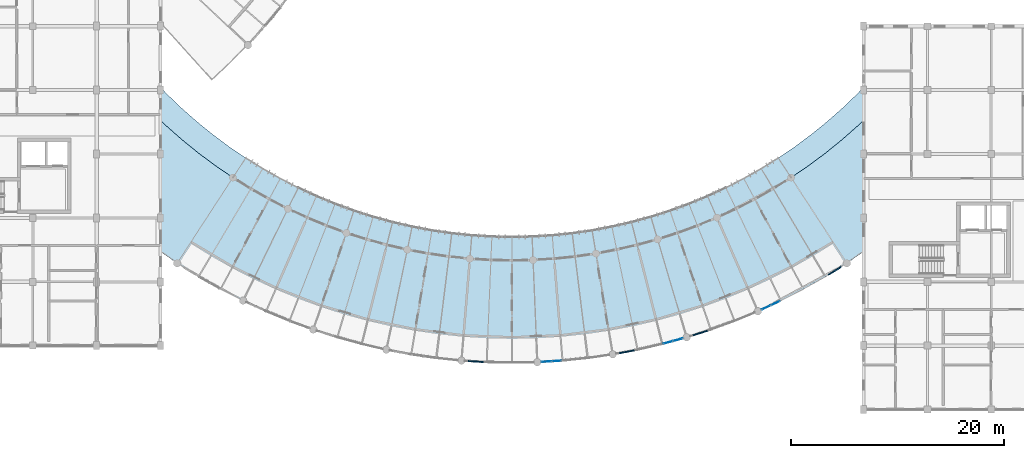
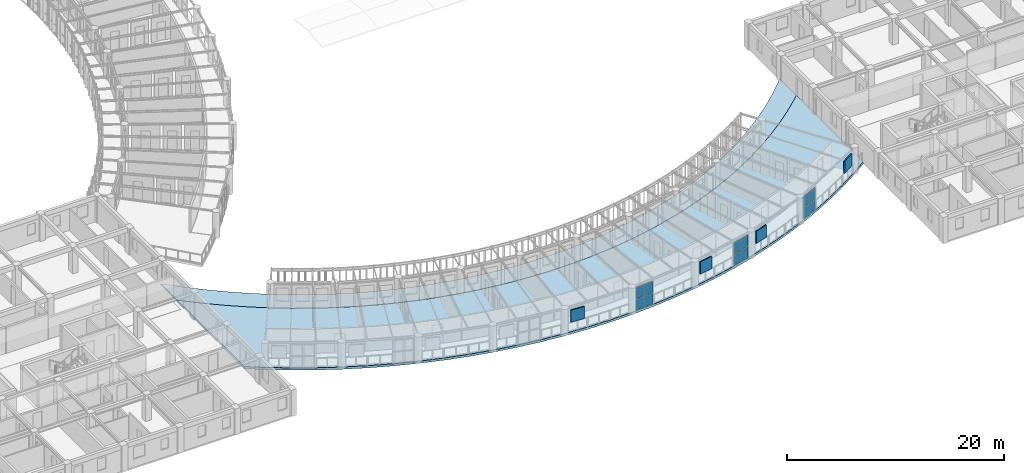
# One storey, part 45 of 100: 16 plates, 2 slabs, 3 elements without a shape of their own.
"""IFC4 building model written with IfcOpenShell, lengths in metres."""

from ifc_helpers import new_model, si_unit, direction, frame, origin, origin_2d, place, context, subcontext, project, spatial, polyline, rectangle, outline, extrude, material, layer, layer_set, type_object, element, aggregate, save


model = new_model("IFC4")

# Units and contexts
model_context = context("Model", 3, precision=1e-05, world=origin(), true_north=direction((0.0, 1.0)))
body_context = subcontext(model_context, "Body", "Model", "MODEL_VIEW")
ifc_project = project(units=[si_unit("LENGTHUNIT", "METRE"), si_unit("AREAUNIT", "SQUARE_METRE"), si_unit("VOLUMEUNIT", "CUBIC_METRE"), si_unit("PLANEANGLEUNIT", "RADIAN"), si_unit("MASSUNIT", "GRAM", prefix="KILO"), si_unit("POWERUNIT", "WATT"), si_unit("THERMODYNAMICTEMPERATUREUNIT", "KELVIN")], contexts=[model_context])

# Site, building, storey
site_placement = place(None, origin())
site = spatial("IfcSite", under=ifc_project, at=site_placement, CompositionType="ELEMENT")
building_placement = place(site_placement, origin())
building = spatial("IfcBuilding", under=site, at=building_placement, Name="Ruvembo Vaulted Housing Court", CompositionType="ELEMENT")
storey_placement = place(building_placement, frame((0.0, 0.0, 10.89990234375)))
storey = spatial("IfcBuildingStorey", under=building, at=storey_placement, Name="L03", CompositionType="ELEMENT", Elevation=10.89990234375)

# Curtain wall, plates
ifc_material_1 = material(Name="Anodised Aluminium and Solar-Control Glass", Category="aluminium")
ifc_layer_1 = layer(ifc_material_1, 0.139892578125, Name="Anodised Aluminium and Solar-Control Glass")
ifc_layer_set_1 = layer_set([ifc_layer_1], Name="Anodised Aluminium and Solar-Control Glass")
curtain_wall_type_1 = type_object("IfcCurtainWallType", Name="CW-SCOOP-PAN", PredefinedType="NOTDEFINED", material=ifc_layer_set_1)
curtain_wall_1_placement = place(storey_placement, origin())
curtain_wall_1 = element("IfcCurtainWall", 1, at=curtain_wall_1_placement, inside=storey, type_object=curtain_wall_type_1, Name="L03 Curtain Wall CW-L03-0045", PredefinedType="NOTDEFINED")
ifc_material_2 = material(Name="Solar-Control Laminated Insulating Glass", Category="glass")
ifc_layer_2 = layer(ifc_material_2, 0.035888671875, Name="Solar-Control Laminated Insulating Glass")
ifc_layer_set_2 = layer_set([ifc_layer_2], Name="Solar-Control Laminated Insulating Glass")
plate_type_1 = type_object("IfcPlateType", Name="CW-PANEL-ACOUST", PredefinedType="CURTAIN_PANEL", material=ifc_layer_set_2)
plate_1_placement = place(storey_placement, frame((83.651123046875, 6.303466796875, 0.06005859375), z_axis=(0.0, 0.0, 1.0), x_axis=(0.964255188293, 0.264975341966, 0.0)))
plate_1 = element("IfcPlate", 2, at=plate_1_placement, type_object=plate_type_1, Name="CW10 panel 1.1", PredefinedType="CURTAIN_PANEL", context=body_context, shape_type="SweptSolid", body=[
    extrude(rectangle(XDim=0.89794921875, YDim=0.035888671875, at=origin_2d()), origin(), (0.0, 0.0, 1.0), 1.259033203125),
])
plate_2_placement = place(storey_placement, frame((83.651123046875, 6.303466796875, 1.37890625), z_axis=(0.0, 0.0, 1.0), x_axis=(0.964255188293, 0.264975341966, 0.0)))
plate_2 = element("IfcPlate", 3, at=plate_2_placement, type_object=plate_type_1, Name="CW10 panel 1.2", PredefinedType="CURTAIN_PANEL", context=body_context, shape_type="SweptSolid", body=[
    extrude(rectangle(XDim=0.89794921875, YDim=0.035888671875, at=origin_2d()), origin(), (0.0, 0.0, 1.0), 1.259033203125),
])
plate_3_placement = place(storey_placement, frame((84.57470703125, 6.557373046875, 0.06005859375), z_axis=(0.0, 0.0, 1.0), x_axis=(0.964255188293, 0.264975341966, 0.0)))
plate_3 = element("IfcPlate", 4, at=plate_3_placement, type_object=plate_type_1, Name="CW10 panel 2.1", PredefinedType="CURTAIN_PANEL", context=body_context, shape_type="SweptSolid", body=[
    extrude(rectangle(XDim=0.89794921875, YDim=0.035888671875, at=origin_2d()), origin(), (0.0, 0.0, 1.0), 1.259033203125),
])
plate_4_placement = place(storey_placement, frame((84.57470703125, 6.557373046875, 1.37890625), z_axis=(0.0, 0.0, 1.0), x_axis=(0.964255188293, 0.264975341966, 0.0)))
plate_4 = element("IfcPlate", 5, at=plate_4_placement, type_object=plate_type_1, Name="CW10 panel 2.2", PredefinedType="CURTAIN_PANEL", context=body_context, shape_type="SweptSolid", body=[
    extrude(rectangle(XDim=0.89794921875, YDim=0.035888671875, at=origin_2d()), origin(), (0.0, 0.0, 1.0), 1.259033203125),
])
aggregate(curtain_wall_1, [plate_1, plate_2, plate_3, plate_4])

ifc_layer_3 = layer(ifc_material_1, 0.1201171875, Name="Anodised Aluminium and Solar-Control Glass")
ifc_layer_set_3 = layer_set([ifc_layer_3], Name="Anodised Aluminium and Solar-Control Glass")
curtain_wall_type_2 = type_object("IfcCurtainWallType", Name="CW-SCOOP-GAL", PredefinedType="NOTDEFINED", material=ifc_layer_set_3)
curtain_wall_2_placement = place(storey_placement, origin())
curtain_wall_2 = element("IfcCurtainWall", 6, at=curtain_wall_2_placement, inside=storey, type_object=curtain_wall_type_2, Name="L03 Curtain Wall CW-L03-0044", PredefinedType="NOTDEFINED")
ifc_layer_4 = layer(ifc_material_2, 0.028076171875, Name="Solar-Control Laminated Insulating Glass")
ifc_layer_set_4 = layer_set([ifc_layer_4], Name="Solar-Control Laminated Insulating Glass")
plate_type_2 = type_object("IfcPlateType", Name="CW-PANEL-GLAZED", PredefinedType="CURTAIN_PANEL", material=ifc_layer_set_4)
plate_5_placement = place(storey_placement, frame((72.23291015625, 4.502197265625, 0.06005859375), z_axis=(0.0, 0.0, 1.0), x_axis=(0.998086104235, 0.061839538585, 0.0)))
plate_5 = element("IfcPlate", 7, at=plate_5_placement, type_object=plate_type_2, Name="CW6 panel 1.1", PredefinedType="CURTAIN_PANEL", context=body_context, shape_type="SweptSolid", body=[
    extrude(rectangle(XDim=0.89794921875, YDim=0.028076171875, at=origin_2d()), origin(), (0.0, 0.0, 1.0), 1.259033203125),
])
plate_6_placement = place(storey_placement, frame((72.23291015625, 4.502197265625, 1.37890625), z_axis=(0.0, 0.0, 1.0), x_axis=(0.998086104235, 0.061839538585, 0.0)))
plate_6 = element("IfcPlate", 8, at=plate_6_placement, type_object=plate_type_2, Name="CW6 panel 1.2", PredefinedType="CURTAIN_PANEL", context=body_context, shape_type="SweptSolid", body=[
    extrude(rectangle(XDim=0.89794921875, YDim=0.028076171875, at=origin_2d()), origin(), (0.0, 0.0, 1.0), 1.259033203125),
])
plate_7_placement = place(storey_placement, frame((73.18896484375, 4.561279296875, 0.06005859375), z_axis=(0.0, 0.0, 1.0), x_axis=(0.998086104235, 0.061839538585, 0.0)))
plate_7 = element("IfcPlate", 9, at=plate_7_placement, type_object=plate_type_2, Name="CW6 panel 2.1", PredefinedType="CURTAIN_PANEL", context=body_context, shape_type="SweptSolid", body=[
    extrude(rectangle(XDim=0.89794921875, YDim=0.028076171875, at=origin_2d()), origin(), (0.0, 0.0, 1.0), 1.259033203125),
])
plate_8_placement = place(storey_placement, frame((73.18896484375, 4.561279296875, 1.37890625), z_axis=(0.0, 0.0, 1.0), x_axis=(0.998086104235, 0.061839538585, 0.0)))
plate_8 = element("IfcPlate", 10, at=plate_8_placement, type_object=plate_type_2, Name="CW6 panel 2.2", PredefinedType="CURTAIN_PANEL", context=body_context, shape_type="SweptSolid", body=[
    extrude(rectangle(XDim=0.89794921875, YDim=0.028076171875, at=origin_2d()), origin(), (0.0, 0.0, 1.0), 1.259033203125),
])
aggregate(curtain_wall_2, [plate_5, plate_6, plate_7, plate_8])

curtain_wall_3_placement = place(storey_placement, origin())
curtain_wall_3 = element("IfcCurtainWall", 11, at=curtain_wall_3_placement, inside=storey, type_object=curtain_wall_type_1, Name="L03 Curtain Wall CW-L03-0046", PredefinedType="NOTDEFINED")
ifc_layer_5 = layer(ifc_material_2, 0.031982421875, Name="Solar-Control Laminated Insulating Glass")
ifc_layer_set_5 = layer_set([ifc_layer_5], Name="Solar-Control Laminated Insulating Glass")
plate_type_3 = type_object("IfcPlateType", Name="CW-PANEL-SOLAR", PredefinedType="CURTAIN_PANEL", material=ifc_layer_set_5)
plate_9_placement = place(storey_placement, frame((92.87451171875, 9.59326171875, 0.065185546875), z_axis=(0.0, 0.0, 1.0), x_axis=(0.907645116365, 0.419738421805, 0.0)))
plate_9 = element("IfcPlate", 12, at=plate_9_placement, type_object=plate_type_3, Name="CW10 panel 1.1", PredefinedType="CURTAIN_PANEL", context=body_context, shape_type="SweptSolid", body=[
    extrude(rectangle(XDim=0.890380859375, YDim=0.031982421875, at=origin_2d()), origin(), (0.0, 0.0, 1.0), 1.25146484375),
])
plate_10_placement = place(storey_placement, frame((92.87451171875, 9.59326171875, 1.381591796875), z_axis=(0.0, 0.0, 1.0), x_axis=(0.907645116365, 0.419738421805, 0.0)))
plate_10 = element("IfcPlate", 13, at=plate_10_placement, type_object=plate_type_3, Name="CW10 panel 1.2", PredefinedType="CURTAIN_PANEL", context=body_context, shape_type="SweptSolid", body=[
    extrude(rectangle(XDim=0.890380859375, YDim=0.031982421875, at=origin_2d()), origin(), (0.0, 0.0, 1.0), 1.25146484375),
])
plate_11_placement = place(storey_placement, frame((93.74169921875, 9.994384765625, 0.065185546875), z_axis=(0.0, 0.0, 1.0), x_axis=(0.907645116365, 0.419738421805, 0.0)))
plate_11 = element("IfcPlate", 14, at=plate_11_placement, type_object=plate_type_3, Name="CW10 panel 2.1", PredefinedType="CURTAIN_PANEL", context=body_context, shape_type="SweptSolid", body=[
    extrude(rectangle(XDim=0.890380859375, YDim=0.031982421875, at=origin_2d()), origin(), (0.0, 0.0, 1.0), 1.25146484375),
])
plate_12_placement = place(storey_placement, frame((93.74169921875, 9.994384765625, 1.381591796875), z_axis=(0.0, 0.0, 1.0), x_axis=(0.907645116365, 0.419738421805, 0.0)))
plate_12 = element("IfcPlate", 15, at=plate_12_placement, type_object=plate_type_3, Name="CW10 panel 2.2", PredefinedType="CURTAIN_PANEL", context=body_context, shape_type="SweptSolid", body=[
    extrude(rectangle(XDim=0.890380859375, YDim=0.031982421875, at=origin_2d()), origin(), (0.0, 0.0, 1.0), 1.25146484375),
])
aggregate(curtain_wall_3, [plate_9, plate_10, plate_11, plate_12])

# Plates
ifc_material_3 = material(Name="Perforated Glazed Ceramic Cobogo Block", Category="ceramic")
ifc_layer_6 = layer(ifc_material_3, 0.1201171875, Name="Perforated Glazed Ceramic Cobogo Block")
ifc_layer_set_6 = layer_set([ifc_layer_6], Name="Perforated Glazed Ceramic Cobogo Block")
plate_type_4 = type_object("IfcPlateType", Name="PL-COBOGO-120", PredefinedType="USERDEFINED", material=ifc_layer_set_6)
for number, where, z_axis, x_axis, name in (
    (16, (65.58837890625, 4.51318359375, 1.1201171875), (0.0, 0.0, 1.0), (0.998086543166, -0.061832453863, 0.0), "Scoop SC2 L03 Ceramic Cobogo Screen #51"),
    (17, (79.776611328125, 5.429443359375, 1.1201171875), (0.0, 0.0, 1.0), (0.982816353606, 0.184586064165, 0.0), "Scoop SC2 L03 Ceramic Cobogo Screen #52"),
    (18, (86.677490234375, 7.1923828125, 1.1201171875), (0.0, 0.0, 1.0), (0.952523417345, 0.304465333674, 0.0), "Scoop SC2 L03 Ceramic Cobogo Screen #53"),
    (19, (99.31201171875, 13.03515625, 1.1201171875), (0.0, 0.0, 1.0), (0.848888670256, 0.528571684363, 0.0), "Scoop SC2 L03 Ceramic Cobogo Screen #54"),
):
    element("IfcPlate", number, at=place(storey_placement, frame(where, z_axis=z_axis, x_axis=x_axis)), inside=storey, type_object=plate_type_4, Name=name, ObjectType="COBOGO_PANEL", PredefinedType="USERDEFINED", context=body_context, shape_type="SweptSolid", body=[
        extrude(rectangle(XDim=1.39990234375, YDim=0.1201171875, at=origin_2d()), origin(), (0.0, 0.0, 1.0), 1.360107421875),
    ])

# Slabs
ifc_material_4 = material(Name="Concrete C35/45", Category="concrete")
ifc_layer_7 = layer(ifc_material_4, 0.172119140625, Name="Concrete C35/45")
ifc_layer_set_7 = layer_set([ifc_layer_7], Name="Concrete C35/45")
slab_type_1 = type_object("IfcSlabType", Name="SL-BAL-172", PredefinedType="FLOOR", material=ifc_layer_set_7)
slab_1_placement = place(storey_placement, frame((0.0, 0.0, -0.171875)))
element("IfcSlab", 20, at=slab_1_placement, inside=storey, type_object=slab_type_1, Name="Scoop SC2 L03 Continuous Curved Balcony Slab", PredefinedType="FLOOR", context=body_context, shape_type="SweptSolid", body=[
    extrude(outline(polyline([(36.0, 30.2548828125), (36.0, 27.156494140625), (36.543701171875, 26.636474609375), (38.02978515625, 25.327880859375), (39.568359375, 24.081787109375), (41.1572265625, 22.900390625), (42.79345703125, 21.785400390625), (44.474365234375, 20.73876953125), (46.19677734375, 19.762451171875), (47.958251953125, 18.85791015625), (49.75537109375, 18.02685546875), (51.585205078125, 17.2705078125), (53.44482421875, 16.59033203125), (55.330810546875, 15.987548828125), (57.239990234375, 15.462890625), (59.169189453125, 15.017578125), (61.115234375, 14.652099609375), (63.07470703125, 14.3671875), (65.044189453125, 14.163330078125), (67.0205078125, 14.040771484375), (69.0, 14.0), (70.9794921875, 14.040771484375), (72.955810546875, 14.163330078125), (74.92529296875, 14.3671875), (76.884765625, 14.652099609375), (78.830810546875, 15.017578125), (80.760009765625, 15.462890625), (82.669189453125, 15.987548828125), (84.55517578125, 16.59033203125), (86.414794921875, 17.2705078125), (88.24462890625, 18.02685546875), (90.041748046875, 18.85791015625), (91.80322265625, 19.762451171875), (93.525634765625, 20.73876953125), (95.20654296875, 21.785400390625), (96.8427734375, 22.900390625), (98.431640625, 24.081787109375), (99.97021484375, 25.327880859375), (101.456298828125, 26.636474609375), (102.0, 27.156494140625), (102.0, 30.2548828125), (101.333984375, 29.563232421875), (99.96875, 28.25732421875), (98.55078125, 27.0087890625), (97.08251953125, 25.81982421875), (95.566650390625, 24.6923828125), (94.00537109375, 23.62841796875), (92.401611328125, 22.6298828125), (90.758056640625, 21.6982421875), (89.077392578125, 20.835205078125), (87.362548828125, 20.042236328125), (85.61669921875, 19.320556640625), (83.84228515625, 18.671630859375), (82.042724609375, 18.096435546875), (80.220947265625, 17.595703125), (78.380126953125, 17.1708984375), (76.523193359375, 16.822021484375), (74.65380859375, 16.55029296875), (72.7744140625, 16.355712890625), (70.888916015625, 16.239013671875), (69.0, 16.199951171875), (67.111083984375, 16.239013671875), (65.2255859375, 16.355712890625), (63.34619140625, 16.55029296875), (61.476806640625, 16.822021484375), (59.619873046875, 17.1708984375), (57.779052734375, 17.595703125), (55.957275390625, 18.096435546875), (54.15771484375, 18.671630859375), (52.38330078125, 19.320556640625), (50.637451171875, 20.042236328125), (48.922607421875, 20.835205078125), (47.241943359375, 21.6982421875), (45.598388671875, 22.6298828125), (43.99462890625, 23.62841796875), (42.433349609375, 24.6923828125), (40.91748046875, 25.81982421875), (39.44921875, 27.0087890625), (38.03125, 28.25732421875), (36.666015625, 29.563232421875), (36.0, 30.2548828125)])), origin(), (0.0, 0.0, 1.0), 0.171875),
])
ifc_layer_8 = layer(ifc_material_4, 0.251953125, Name="Concrete C35/45")
ifc_layer_set_8 = layer_set([ifc_layer_8], Name="Concrete C35/45")
slab_type_2 = type_object("IfcSlabType", Name="SL-SCOOP-252", PredefinedType="FLOOR", material=ifc_layer_set_8)
slab_2_placement = place(storey_placement, frame((0.0, 0.0, -0.251953125)))
element("IfcSlab", 21, at=slab_2_placement, inside=storey, type_object=slab_type_2, Name="Scoop SC2 L03 Floor Slab", PredefinedType="FLOOR", context=body_context, shape_type="SweptSolid", body=[
    extrude(outline(polyline([(36.0, 27.156494140625), (36.0, 14.80029296875), (37.55224609375, 13.742431640625), (39.569091796875, 12.486572265625), (41.63623046875, 11.31494140625), (43.749755859375, 10.2294921875), (45.906494140625, 9.232177734375), (48.102294921875, 8.32470703125), (50.333740234375, 7.50830078125), (52.596923828125, 6.784912109375), (54.887939453125, 6.155517578125), (57.203125, 5.62109375), (59.538330078125, 5.182373046875), (61.8896484375, 4.840576171875), (64.2529296875, 4.595947265625), (66.62451171875, 4.448974609375), (69.0, 4.39990234375), (71.37548828125, 4.448974609375), (73.7470703125, 4.595947265625), (76.1103515625, 4.840576171875), (78.461669921875, 5.182373046875), (80.796875, 5.62109375), (83.112060546875, 6.155517578125), (85.403076171875, 6.784912109375), (87.666259765625, 7.50830078125), (89.897705078125, 8.32470703125), (92.093505859375, 9.232177734375), (94.250244140625, 10.2294921875), (96.36376953125, 11.31494140625), (98.430908203125, 12.486572265625), (100.44775390625, 13.742431640625), (102.0, 14.80029296875), (102.0, 27.156494140625), (101.456298828125, 26.636474609375), (99.97021484375, 25.327880859375), (98.431640625, 24.081787109375), (96.8427734375, 22.900390625), (95.20654296875, 21.785400390625), (93.525634765625, 20.73876953125), (91.80322265625, 19.762451171875), (90.041748046875, 18.85791015625), (88.24462890625, 18.02685546875), (86.414794921875, 17.2705078125), (84.55517578125, 16.59033203125), (82.669189453125, 15.987548828125), (80.760009765625, 15.462890625), (78.830810546875, 15.017578125), (76.884765625, 14.652099609375), (74.92529296875, 14.3671875), (72.955810546875, 14.163330078125), (70.9794921875, 14.040771484375), (69.0, 14.0), (67.0205078125, 14.040771484375), (65.044189453125, 14.163330078125), (63.07470703125, 14.3671875), (61.115234375, 14.652099609375), (59.169189453125, 15.017578125), (57.239990234375, 15.462890625), (55.330810546875, 15.987548828125), (53.44482421875, 16.59033203125), (51.585205078125, 17.2705078125), (49.75537109375, 18.02685546875), (47.958251953125, 18.85791015625), (46.19677734375, 19.762451171875), (44.474365234375, 20.73876953125), (42.79345703125, 21.785400390625), (41.1572265625, 22.900390625), (39.568359375, 24.081787109375), (38.02978515625, 25.327880859375), (36.543701171875, 26.636474609375), (36.0, 27.156494140625)])), origin(), (0.0, 0.0, 1.0), 0.251953125),
])

save(model, "model.ifc")
